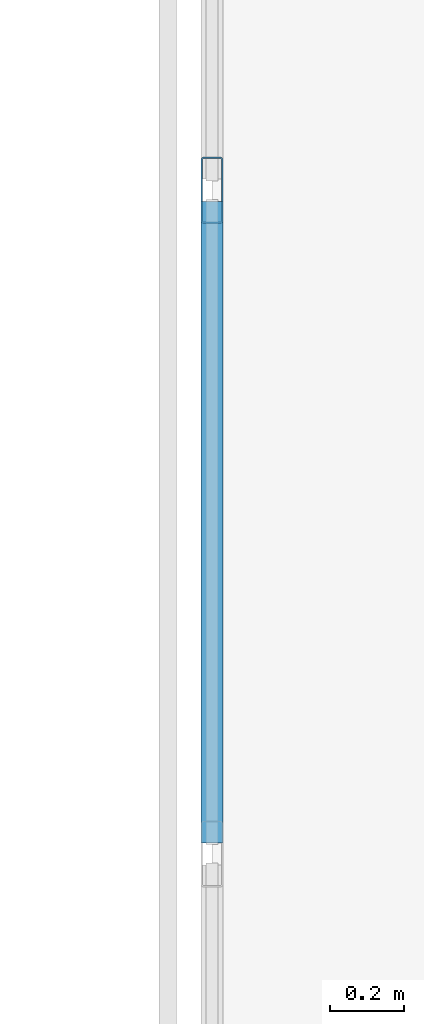
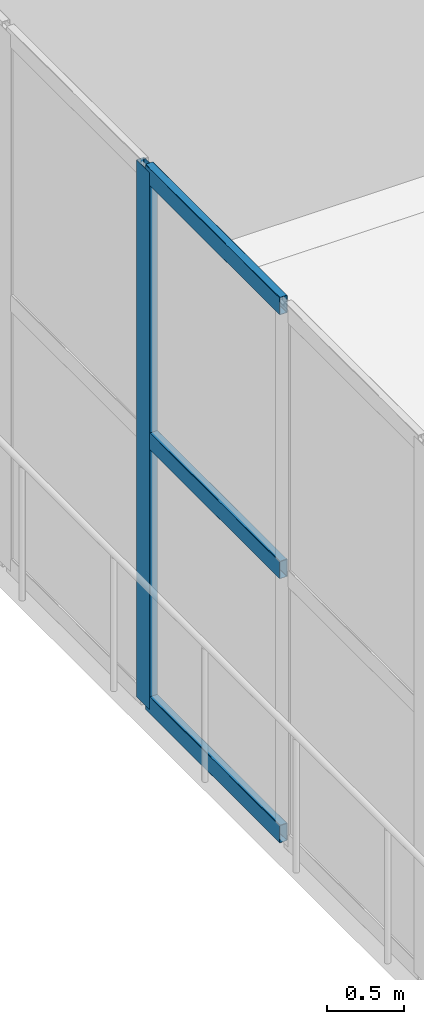
# One storey, part 80 of 170: 4 members, 1 element without a shape of its own.
"""IFC4 building model written with IfcOpenShell, lengths in metres."""

from ifc_helpers import new_model, si_unit, direction, frame, origin, origin_2d, place, context, subcontext, project, spatial, hollow_rectangle, extrude, material, material_profile, profile_set, type_object, element, aggregate, save


model = new_model("IFC4")

# Units and contexts
model_context = context("Model", 3, precision=1e-05, world=origin(), true_north=direction((0.0, 1.0)))
body_context = subcontext(model_context, "Body", "Model", "MODEL_VIEW")
ifc_project = project(units=[si_unit("LENGTHUNIT", "METRE"), si_unit("AREAUNIT", "SQUARE_METRE"), si_unit("VOLUMEUNIT", "CUBIC_METRE"), si_unit("PLANEANGLEUNIT", "RADIAN"), si_unit("MASSUNIT", "GRAM", prefix="KILO")], contexts=[model_context])

# Site, building, storey
site_placement = place(None, origin())
site = spatial("IfcSite", under=ifc_project, at=site_placement, CompositionType="ELEMENT")
building_placement = place(site_placement, origin())
building = spatial("IfcBuilding", under=site, at=building_placement, Name="Coralgate Yard Interchange", CompositionType="ELEMENT")
storey_placement = place(building_placement, frame((0.0, 0.0, 6.0)))
storey = spatial("IfcBuildingStorey", under=building, at=storey_placement, Name="L01", CompositionType="ELEMENT", Elevation=6.0)

# Curtain wall, members
ifc_material_1 = material(Name="Anodised coastal aluminium and solar-control low-E glass", Category="aluminium")
curtain_wall_type = type_object("IfcCurtainWallType", Name="CW-CW-L01-A", PredefinedType="NOTDEFINED", material=ifc_material_1)
curtain_wall_placement = place(storey_placement, origin())
curtain_wall = element("IfcCurtainWall", 1, at=curtain_wall_placement, inside=storey, type_object=curtain_wall_type, Name="L01 unitised curtain wall CW-L01-W-13-06", PredefinedType="NOTDEFINED")
ifc_material_2 = material(Name="Anodised coastal aluminium 6063-T6", Category="aluminium")
ifc_material_profile_1 = material_profile(ifc_material_2, hollow_rectangle(XDim=0.06005859375, YDim=0.179931640625, WallThickness=0.00390625, InnerFilletRadius=0.00390625, OuterFilletRadius=0.008056640625, at=origin_2d()), Name="ALU 60x180x4")
ifc_profile_set_1 = profile_set([ifc_material_profile_1], Name="Anodised coastal aluminium 6063-T6")
member_type_1 = type_object("IfcMemberType", Name="MB-MUL-180", PredefinedType="MULLION", material=ifc_profile_set_1)
member_1_placement = place(storey_placement, frame((124.800048828125, 63.300048828125, 0.0), z_axis=(0.0, 0.0, 1.0), x_axis=(1.0, 0.0, 0.0)))
member_1 = element("IfcMember", 2, at=member_1_placement, type_object=member_type_1, Name="CW-L01-W-13-06 vertical mullion 4", PredefinedType="MULLION", context=body_context, shape_type="SweptSolid", body=[
    extrude(hollow_rectangle(XDim=0.06005859375, YDim=0.179931640625, WallThickness=0.00390625, InnerFilletRadius=0.00390625, OuterFilletRadius=0.008056640625, at=origin_2d()), origin(), (0.0, 0.0, 1.0), 4.25),
])
ifc_material_profile_2 = material_profile(ifc_material_2, hollow_rectangle(XDim=0.06005859375, YDim=0.139892578125, WallThickness=0.00341796875, InnerFilletRadius=0.00341796875, OuterFilletRadius=0.007080078125, at=origin_2d()), Name="ALU 60x140x3.5")
ifc_profile_set_2 = profile_set([ifc_material_profile_2], Name="Anodised coastal aluminium 6063-T6")
member_type_2 = type_object("IfcMemberType", Name="MB-TRN-140", PredefinedType="USERDEFINED", material=ifc_profile_set_2)
member_2_placement = place(storey_placement, frame((124.800048828125, 61.530029296875, 0.034912109375), z_axis=(0.0, 1.0, 0.0), x_axis=(-1.0, 0.0, 0.0)))
member_2 = element("IfcMember", 3, at=member_2_placement, type_object=member_type_2, Name="CW-L01-W-13-06 horizontal transom 3-1", ObjectType="TRANSOM", PredefinedType="USERDEFINED", context=body_context, shape_type="SweptSolid", body=[
    extrude(hollow_rectangle(XDim=0.06005859375, YDim=0.139892578125, WallThickness=0.00341796875, InnerFilletRadius=0.00341796875, OuterFilletRadius=0.007080078125, at=origin_2d()), origin(), (0.0, 0.0, 1.0), 1.739990234375),
])
member_3_placement = place(storey_placement, frame((124.800048828125, 61.530029296875, 2.125), z_axis=(0.0, 1.0, 0.0), x_axis=(-1.0, 0.0, 0.0)))
member_3 = element("IfcMember", 4, at=member_3_placement, type_object=member_type_2, Name="CW-L01-W-13-06 horizontal transom 3-2", ObjectType="TRANSOM", PredefinedType="USERDEFINED", context=body_context, shape_type="SweptSolid", body=[
    extrude(hollow_rectangle(XDim=0.06005859375, YDim=0.139892578125, WallThickness=0.00341796875, InnerFilletRadius=0.00341796875, OuterFilletRadius=0.007080078125, at=origin_2d()), origin(), (0.0, 0.0, 1.0), 1.739990234375),
])
member_4_placement = place(storey_placement, frame((124.800048828125, 61.530029296875, 4.215087890625), z_axis=(0.0, 1.0, 0.0), x_axis=(-1.0, 0.0, 0.0)))
member_4 = element("IfcMember", 5, at=member_4_placement, type_object=member_type_2, Name="CW-L01-W-13-06 horizontal transom 3-3", ObjectType="TRANSOM", PredefinedType="USERDEFINED", context=body_context, shape_type="SweptSolid", body=[
    extrude(hollow_rectangle(XDim=0.06005859375, YDim=0.139892578125, WallThickness=0.00341796875, InnerFilletRadius=0.00341796875, OuterFilletRadius=0.007080078125, at=origin_2d()), origin(), (0.0, 0.0, 1.0), 1.739990234375),
])
aggregate(curtain_wall, [member_1, member_2, member_3, member_4])

save(model, "model.ifc")
